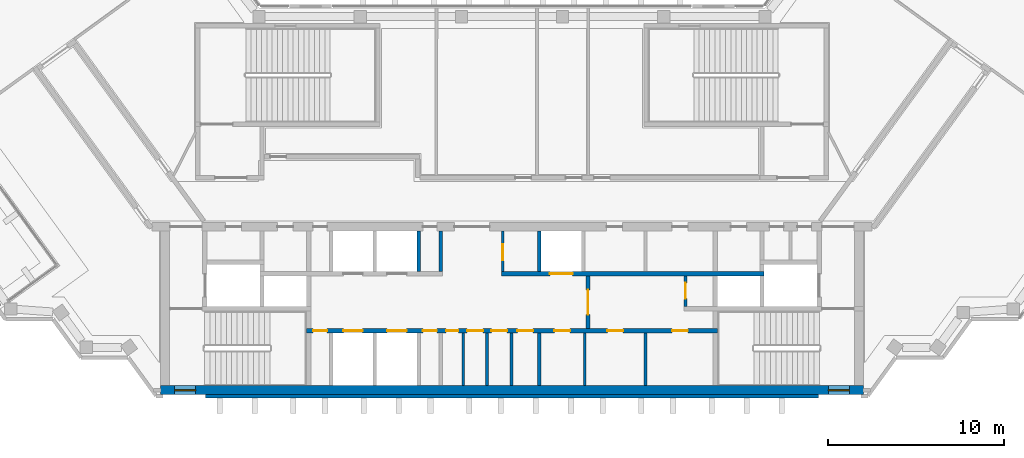
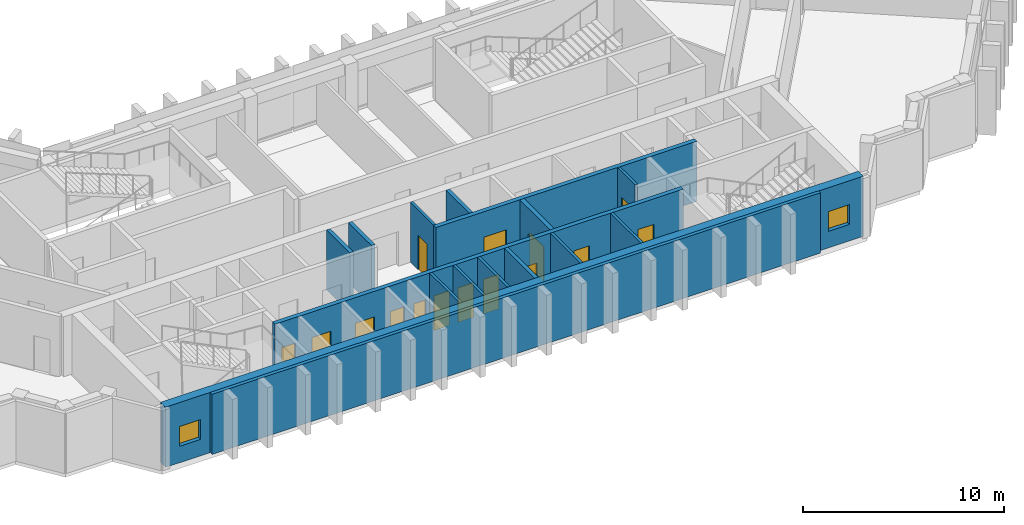
# One storey, part 6 of 10: 16 walls, 15 doors, 2 windows, 17 openings.
"""IFC4 building model written with IfcOpenShell, lengths in metres."""

from ifc_helpers import new_model, si_unit, direction, frame, frame_2d, origin, place, context, subcontext, project, spatial, rectangle, extrude, material, layer, layer_set, type_object, element, fill, save


model = new_model("IFC4")

# Units and contexts
model_context = context("Model", 3, precision=1e-05, world=origin(), true_north=direction((0.0, 1.0)))
body_context = subcontext(model_context, "Body", "Model", "MODEL_VIEW")
ifc_project = project(units=[si_unit("LENGTHUNIT", "METRE"), si_unit("AREAUNIT", "SQUARE_METRE"), si_unit("VOLUMEUNIT", "CUBIC_METRE"), si_unit("PLANEANGLEUNIT", "RADIAN"), si_unit("MASSUNIT", "GRAM", prefix="KILO")], contexts=[model_context])

# Site, building, storey
site_placement = place(None, origin())
site = spatial("IfcSite", under=ifc_project, at=site_placement, CompositionType="ELEMENT")
building_placement = place(site_placement, origin())
building = spatial("IfcBuilding", under=site, at=building_placement, Name="Quipu Civic Tower", CompositionType="ELEMENT")
storey_placement = place(building_placement, frame((0.0, 0.0, 261.0)))
storey = spatial("IfcBuildingStorey", under=building, at=storey_placement, Name="L61", CompositionType="ELEMENT", Elevation=261.0)

# Wall, openings, doors
ifc_material_1 = material(Name="Concrete C70/85", Category="concrete")
ifc_layer_1 = layer(ifc_material_1, 0.25)
ifc_layer_set_1 = layer_set([ifc_layer_1], Name="Concrete C70/85")
wall_type_1 = type_object("IfcWallType", Name="Core wall 250", PredefinedType="SHEAR", material=ifc_layer_set_1)
wall_1_placement = place(storey_placement, frame((11.699951171875, -7.375, 0.0), z_axis=(0.0, 0.0, 1.0), x_axis=(-1.0, 0.0, 0.0)))
wall_1 = element("IfcWall", 1, at=wall_1_placement, inside=storey, type_object=wall_type_1, Name="Core wall", PredefinedType="SHEAR", context=body_context, shape_type="SweptSolid", body=[
    extrude(rectangle(XDim=23.39990234375, YDim=0.25, at=frame_2d((11.699951171875, 0.0))), origin(), (0.0, 0.0, 1.0), 3.64990234375),
])
opening_1_placement = place(wall_1_placement, frame((22.22509765625, 0.0, 0.0)))
opening_1 = element("IfcOpeningElement", 2, at=opening_1_placement, cuts=wall_1, Name="Opening CD-01", PredefinedType="OPENING", context=body_context, shape_type="SweptSolid", body=[
    extrude(rectangle(XDim=0.800048828125, YDim=2.10009765625, at=frame_2d((0.39990234375, 1.050048828125))), frame((0.0, 0.135009765625, 0.0), z_axis=(0.0, -1.0, 0.0), x_axis=(1.0, 0.0, 0.0)), (0.0, 0.0, 1.0), 0.27001953125),
])
opening_2_placement = place(wall_1_placement, frame((20.199951171875, 0.0, 0.0)))
opening_2 = element("IfcOpeningElement", 3, at=opening_2_placement, cuts=wall_1, Name="Opening LD-HL1", PredefinedType="OPENING", context=body_context, shape_type="SweptSolid", body=[
    extrude(rectangle(XDim=1.10009765625, YDim=2.10009765625, at=frame_2d((0.550048828125, 1.050048828125))), frame((0.0, 0.135009765625, 0.0), z_axis=(0.0, -1.0, 0.0), x_axis=(1.0, 0.0, 0.0)), (0.0, 0.0, 1.0), 0.27001953125),
])
opening_3_placement = place(wall_1_placement, frame((17.699951171875, 0.0, 0.0)))
opening_3 = element("IfcOpeningElement", 4, at=opening_3_placement, cuts=wall_1, Name="Opening LD-HL2", PredefinedType="OPENING", context=body_context, shape_type="SweptSolid", body=[
    extrude(rectangle(XDim=1.10009765625, YDim=2.10009765625, at=frame_2d((0.550048828125, 1.050048828125))), frame((0.0, 0.135009765625, 0.0), z_axis=(0.0, -1.0, 0.0), x_axis=(1.0, 0.0, 0.0)), (0.0, 0.0, 1.0), 0.27001953125),
])
opening_4_placement = place(wall_1_placement, frame((15.97509765625, 0.0, 0.0)))
opening_4 = element("IfcOpeningElement", 5, at=opening_4_placement, cuts=wall_1, Name="Opening CD-02", PredefinedType="OPENING", context=body_context, shape_type="SweptSolid", body=[
    extrude(rectangle(XDim=0.800048828125, YDim=2.10009765625, at=frame_2d((0.39990234375, 1.050048828125))), frame((0.0, 0.135009765625, 0.0), z_axis=(0.0, -1.0, 0.0), x_axis=(1.0, 0.0, 0.0)), (0.0, 0.0, 1.0), 0.27001953125),
])
opening_5_placement = place(wall_1_placement, frame((14.75, 0.0, 0.0)))
opening_5 = element("IfcOpeningElement", 6, at=opening_5_placement, cuts=wall_1, Name="Opening CD-03", PredefinedType="OPENING", context=body_context, shape_type="SweptSolid", body=[
    extrude(rectangle(XDim=0.699951171875, YDim=2.10009765625, at=frame_2d((0.35009765625, 1.050048828125))), frame((0.0, 0.135009765625, 0.0), z_axis=(0.0, -1.0, 0.0), x_axis=(1.0, 0.0, 0.0)), (0.0, 0.0, 1.0), 0.27001953125),
])
opening_6_placement = place(wall_1_placement, frame((13.35009765625, 0.0, 0.0)))
opening_6 = element("IfcOpeningElement", 7, at=opening_6_placement, cuts=wall_1, Name="Opening CD-04", PredefinedType="OPENING", context=body_context, shape_type="SweptSolid", body=[
    extrude(rectangle(XDim=0.89990234375, YDim=2.10009765625, at=frame_2d((0.449951171875, 1.050048828125))), frame((0.0, 0.135009765625, 0.0), z_axis=(0.0, -1.0, 0.0), x_axis=(1.0, 0.0, 0.0)), (0.0, 0.0, 1.0), 0.27001953125),
])
opening_7_placement = place(wall_1_placement, frame((11.97509765625, 0.0, 0.0)))
opening_7 = element("IfcOpeningElement", 8, at=opening_7_placement, cuts=wall_1, Name="Opening CD-05", PredefinedType="OPENING", context=body_context, shape_type="SweptSolid", body=[
    extrude(rectangle(XDim=0.89990234375, YDim=2.10009765625, at=frame_2d((0.449951171875, 1.050048828125))), frame((0.0, 0.135009765625, 0.0), z_axis=(0.0, -1.0, 0.0), x_axis=(1.0, 0.0, 0.0)), (0.0, 0.0, 1.0), 0.27001953125),
])
opening_8_placement = place(wall_1_placement, frame((10.5, 0.0, 0.0)))
opening_8 = element("IfcOpeningElement", 9, at=opening_8_placement, cuts=wall_1, Name="Opening CD-06", PredefinedType="OPENING", context=body_context, shape_type="SweptSolid", body=[
    extrude(rectangle(XDim=0.89990234375, YDim=2.10009765625, at=frame_2d((0.449951171875, 1.050048828125))), frame((0.0, 0.135009765625, 0.0), z_axis=(0.0, -1.0, 0.0), x_axis=(1.0, 0.0, 0.0)), (0.0, 0.0, 1.0), 0.27001953125),
])
opening_9_placement = place(wall_1_placement, frame((8.387939453125, 0.0, 0.0)))
opening_9 = element("IfcOpeningElement", 10, at=opening_9_placement, cuts=wall_1, Name="Opening CD-07", PredefinedType="OPENING", context=body_context, shape_type="SweptSolid", body=[
    extrude(rectangle(XDim=0.89990234375, YDim=2.10009765625, at=frame_2d((0.449951171875, 1.050048828125))), frame((0.0, 0.135009765625, 0.0), z_axis=(0.0, -1.0, 0.0), x_axis=(1.0, 0.0, 0.0)), (0.0, 0.0, 1.0), 0.27001953125),
])
opening_10_placement = place(wall_1_placement, frame((5.375, 0.0, 0.0)))
opening_10 = element("IfcOpeningElement", 11, at=opening_10_placement, cuts=wall_1, Name="Opening CD-08", PredefinedType="OPENING", context=body_context, shape_type="SweptSolid", body=[
    extrude(rectangle(XDim=0.89990234375, YDim=2.10009765625, at=frame_2d((0.449951171875, 1.050048828125))), frame((0.0, 0.135009765625, 0.0), z_axis=(0.0, -1.0, 0.0), x_axis=(1.0, 0.0, 0.0)), (0.0, 0.0, 1.0), 0.27001953125),
])
opening_11_placement = place(wall_1_placement, frame((1.68798828125, 0.0, 0.0)))
opening_11 = element("IfcOpeningElement", 12, at=opening_11_placement, cuts=wall_1, Name="Opening CD-09", PredefinedType="OPENING", context=body_context, shape_type="SweptSolid", body=[
    extrude(rectangle(XDim=0.89990234375, YDim=2.10009765625, at=frame_2d((0.449951171875, 1.050048828125))), frame((0.0, 0.135009765625, 0.0), z_axis=(0.0, -1.0, 0.0), x_axis=(1.0, 0.0, 0.0)), (0.0, 0.0, 1.0), 0.27001953125),
])
ifc_material_2 = material(Name="Fire rated steel door", Category="steel")
door_type_1 = type_object("IfcDoorType", Name="Fire door FD60 700 x 2100", OperationType="NOTDEFINED", PredefinedType="DOOR", material=ifc_material_2)
door_1_placement = place(opening_5_placement, origin())
door_1 = element("IfcDoor", 13, at=door_1_placement, inside=storey, type_object=door_type_1, Name="Door", OperationType="SINGLE_SWING_RIGHT", OverallHeight=2.10009765625, OverallWidth=0.699951171875, PredefinedType="DOOR", context=body_context, shape_type="SweptSolid", body=[
    extrude(rectangle(XDim=0.699951171875, YDim=2.10009765625, at=frame_2d((0.35009765625, 1.050048828125))), frame((0.0, 0.02490234375, 0.0), z_axis=(0.0, -1.0, 0.0), x_axis=(1.0, 0.0, 0.0)), (0.0, 0.0, 1.0), 0.050048828125),
])
fill(opening_5, door_1)
ifc_material_3 = material(Name="Fire rated steel door", Category="steel")
door_type_2 = type_object("IfcDoorType", Name="Fire door FD60 800 x 2100", OperationType="NOTDEFINED", PredefinedType="DOOR", material=ifc_material_3)
door_2_placement = place(opening_1_placement, origin())
door_2 = element("IfcDoor", 14, at=door_2_placement, inside=storey, type_object=door_type_2, Name="Door", OperationType="SINGLE_SWING_RIGHT", OverallHeight=2.10009765625, OverallWidth=0.800048828125, PredefinedType="DOOR", context=body_context, shape_type="SweptSolid", body=[
    extrude(rectangle(XDim=0.800048828125, YDim=2.10009765625, at=frame_2d((0.39990234375, 1.050048828125))), frame((0.0, 0.02490234375, 0.0), z_axis=(0.0, -1.0, 0.0), x_axis=(1.0, 0.0, 0.0)), (0.0, 0.0, 1.0), 0.050048828125),
])
fill(opening_1, door_2)
door_3_placement = place(opening_4_placement, origin())
door_3 = element("IfcDoor", 15, at=door_3_placement, inside=storey, type_object=door_type_2, Name="Door", OperationType="SINGLE_SWING_RIGHT", OverallHeight=2.10009765625, OverallWidth=0.800048828125, PredefinedType="DOOR", context=body_context, shape_type="SweptSolid", body=[
    extrude(rectangle(XDim=0.800048828125, YDim=2.10009765625, at=frame_2d((0.39990234375, 1.050048828125))), frame((0.0, 0.02490234375, 0.0), z_axis=(0.0, -1.0, 0.0), x_axis=(1.0, 0.0, 0.0)), (0.0, 0.0, 1.0), 0.050048828125),
])
fill(opening_4, door_3)
ifc_material_4 = material(Name="Fire rated steel door", Category="steel")
door_type_3 = type_object("IfcDoorType", Name="Fire door FD60 900 x 2100", OperationType="NOTDEFINED", PredefinedType="DOOR", material=ifc_material_4)
door_4_placement = place(opening_6_placement, origin())
door_4 = element("IfcDoor", 16, at=door_4_placement, inside=storey, type_object=door_type_3, Name="WC door", OperationType="SINGLE_SWING_RIGHT", OverallHeight=2.10009765625, OverallWidth=0.89990234375, PredefinedType="DOOR", context=body_context, shape_type="SweptSolid", body=[
    extrude(rectangle(XDim=0.89990234375, YDim=2.10009765625, at=frame_2d((0.449951171875, 1.050048828125))), frame((0.0, 0.02490234375, 0.0), z_axis=(0.0, -1.0, 0.0), x_axis=(1.0, 0.0, 0.0)), (0.0, 0.0, 1.0), 0.050048828125),
])
fill(opening_6, door_4)
door_5_placement = place(opening_7_placement, origin())
door_5 = element("IfcDoor", 17, at=door_5_placement, inside=storey, type_object=door_type_3, Name="WC door", OperationType="SINGLE_SWING_RIGHT", OverallHeight=2.10009765625, OverallWidth=0.89990234375, PredefinedType="DOOR", context=body_context, shape_type="SweptSolid", body=[
    extrude(rectangle(XDim=0.89990234375, YDim=2.10009765625, at=frame_2d((0.449951171875, 1.050048828125))), frame((0.0, 0.02490234375, 0.0), z_axis=(0.0, -1.0, 0.0), x_axis=(1.0, 0.0, 0.0)), (0.0, 0.0, 1.0), 0.050048828125),
])
fill(opening_7, door_5)
door_6_placement = place(opening_8_placement, origin())
door_6 = element("IfcDoor", 18, at=door_6_placement, inside=storey, type_object=door_type_3, Name="WC door", OperationType="SINGLE_SWING_LEFT", OverallHeight=2.10009765625, OverallWidth=0.89990234375, PredefinedType="DOOR", context=body_context, shape_type="SweptSolid", body=[
    extrude(rectangle(XDim=0.89990234375, YDim=2.10009765625, at=frame_2d((0.449951171875, 1.050048828125))), frame((0.0, 0.02490234375, 0.0), z_axis=(0.0, -1.0, 0.0), x_axis=(1.0, 0.0, 0.0)), (0.0, 0.0, 1.0), 0.050048828125),
])
fill(opening_8, door_6)
door_7_placement = place(opening_9_placement, origin())
door_7 = element("IfcDoor", 19, at=door_7_placement, inside=storey, type_object=door_type_3, Name="Door", OperationType="SINGLE_SWING_LEFT", OverallHeight=2.10009765625, OverallWidth=0.89990234375, PredefinedType="DOOR", context=body_context, shape_type="SweptSolid", body=[
    extrude(rectangle(XDim=0.89990234375, YDim=2.10009765625, at=frame_2d((0.449951171875, 1.050048828125))), frame((0.0, 0.02490234375, 0.0), z_axis=(0.0, -1.0, 0.0), x_axis=(1.0, 0.0, 0.0)), (0.0, 0.0, 1.0), 0.050048828125),
])
fill(opening_9, door_7)
door_8_placement = place(opening_10_placement, origin())
door_8 = element("IfcDoor", 20, at=door_8_placement, inside=storey, type_object=door_type_3, Name="Door", OperationType="SINGLE_SWING_LEFT", OverallHeight=2.10009765625, OverallWidth=0.89990234375, PredefinedType="DOOR", context=body_context, shape_type="SweptSolid", body=[
    extrude(rectangle(XDim=0.89990234375, YDim=2.10009765625, at=frame_2d((0.449951171875, 1.050048828125))), frame((0.0, 0.02490234375, 0.0), z_axis=(0.0, -1.0, 0.0), x_axis=(1.0, 0.0, 0.0)), (0.0, 0.0, 1.0), 0.050048828125),
])
fill(opening_10, door_8)
door_9_placement = place(opening_11_placement, origin())
door_9 = element("IfcDoor", 21, at=door_9_placement, inside=storey, type_object=door_type_3, Name="Door", OperationType="SINGLE_SWING_LEFT", OverallHeight=2.10009765625, OverallWidth=0.89990234375, PredefinedType="DOOR", context=body_context, shape_type="SweptSolid", body=[
    extrude(rectangle(XDim=0.89990234375, YDim=2.10009765625, at=frame_2d((0.449951171875, 1.050048828125))), frame((0.0, 0.02490234375, 0.0), z_axis=(0.0, -1.0, 0.0), x_axis=(1.0, 0.0, 0.0)), (0.0, 0.0, 1.0), 0.050048828125),
])
fill(opening_11, door_9)
ifc_material_5 = material(Name="Stainless steel", Category="steel")
door_type_4 = type_object("IfcDoorType", Name="Lift landing door 1100 x 2100", OperationType="DOUBLE_DOOR_SLIDING", PredefinedType="DOOR", material=ifc_material_5)
door_10_placement = place(opening_2_placement, origin())
door_10 = element("IfcDoor", 22, at=door_10_placement, inside=storey, type_object=door_type_4, Name="Landing door HL1", OperationType="DOUBLE_DOOR_SLIDING", OverallHeight=2.10009765625, OverallWidth=1.10009765625, PredefinedType="DOOR", context=body_context, shape_type="SweptSolid", body=[
    extrude(rectangle(XDim=1.10009765625, YDim=2.10009765625, at=frame_2d((0.550048828125, 1.050048828125))), frame((0.0, 0.02490234375, 0.0), z_axis=(0.0, -1.0, 0.0), x_axis=(1.0, 0.0, 0.0)), (0.0, 0.0, 1.0), 0.050048828125),
])
fill(opening_2, door_10)
door_11_placement = place(opening_3_placement, origin())
door_11 = element("IfcDoor", 23, at=door_11_placement, inside=storey, type_object=door_type_4, Name="Landing door HL2", OperationType="DOUBLE_DOOR_SLIDING", OverallHeight=2.10009765625, OverallWidth=1.10009765625, PredefinedType="DOOR", context=body_context, shape_type="SweptSolid", body=[
    extrude(rectangle(XDim=1.10009765625, YDim=2.10009765625, at=frame_2d((0.550048828125, 1.050048828125))), frame((0.0, 0.02490234375, 0.0), z_axis=(0.0, -1.0, 0.0), x_axis=(1.0, 0.0, 0.0)), (0.0, 0.0, 1.0), 0.050048828125),
])
fill(opening_3, door_11)

# Wall, opening, door
wall_2_placement = place(storey_placement, frame((4.324951171875, -7.25, 0.0), z_axis=(0.0, 0.0, 1.0), x_axis=(0.0, 1.0, 0.0)))
wall_2 = element("IfcWall", 24, at=wall_2_placement, inside=storey, type_object=wall_type_1, Name="Core wall", PredefinedType="SHEAR", context=body_context, shape_type="SweptSolid", body=[
    extrude(rectangle(XDim=3.0, YDim=0.25, at=frame_2d((1.5, 0.0))), origin(), (0.0, 0.0, 1.0), 3.64990234375),
])
opening_12_placement = place(wall_2_placement, frame((0.800048828125, 0.0, 0.0)))
opening_12 = element("IfcOpeningElement", 25, at=opening_12_placement, cuts=wall_2, Name="Opening CD-12", PredefinedType="OPENING", context=body_context, shape_type="SweptSolid", body=[
    extrude(rectangle(XDim=1.39990234375, YDim=2.10009765625, at=frame_2d((0.699951171875, 1.050048828125))), frame((0.0, 0.135009765625, 0.0), z_axis=(0.0, -1.0, 0.0), x_axis=(1.0, 0.0, 0.0)), (0.0, 0.0, 1.0), 0.27001953125),
])
ifc_material_6 = material(Name="Fire rated steel door", Category="steel")
door_type_5 = type_object("IfcDoorType", Name="Fire door FD60 double 1400 x 2100", OperationType="NOTDEFINED", PredefinedType="DOOR", material=ifc_material_6)
door_12_placement = place(opening_12_placement, origin())
door_12 = element("IfcDoor", 26, at=door_12_placement, inside=storey, type_object=door_type_5, Name="Hall door", OperationType="DOUBLE_DOOR_SINGLE_SWING", OverallHeight=2.10009765625, OverallWidth=1.39990234375, PredefinedType="DOOR", context=body_context, shape_type="SweptSolid", body=[
    extrude(rectangle(XDim=1.39990234375, YDim=2.10009765625, at=frame_2d((0.699951171875, 1.050048828125))), frame((0.0, 0.02490234375, 0.0), z_axis=(0.0, -1.0, 0.0), x_axis=(1.0, 0.0, 0.0)), (0.0, 0.0, 1.0), 0.050048828125),
])
fill(opening_12, door_12)

wall_3_placement = place(storey_placement, frame((-0.60009765625, -4.125, 0.0), z_axis=(0.0, 0.0, 1.0), x_axis=(1.0, 0.0, 0.0)))
wall_3 = element("IfcWall", 27, at=wall_3_placement, inside=storey, type_object=wall_type_1, Name="Core wall", PredefinedType="SHEAR", context=body_context, shape_type="SweptSolid", body=[
    extrude(rectangle(XDim=14.9501953125, YDim=0.25, at=frame_2d((7.47509765625, 0.0))), origin(), (0.0, 0.0, 1.0), 3.64990234375),
])
opening_13_placement = place(wall_3_placement, frame((2.75, 0.0, 0.0)))
opening_13 = element("IfcOpeningElement", 28, at=opening_13_placement, cuts=wall_3, Name="Opening LD-FF3", PredefinedType="OPENING", context=body_context, shape_type="SweptSolid", body=[
    extrude(rectangle(XDim=1.300048828125, YDim=2.10009765625, at=frame_2d((0.64990234375, 1.050048828125))), frame((0.0, 0.135009765625, 0.0), z_axis=(0.0, -1.0, 0.0), x_axis=(1.0, 0.0, 0.0)), (0.0, 0.0, 1.0), 0.27001953125),
])
ifc_material_7 = material(Name="Stainless steel", Category="steel")
door_type_6 = type_object("IfcDoorType", Name="Lift landing door 1300 x 2100", OperationType="DOUBLE_DOOR_SLIDING", PredefinedType="DOOR", material=ifc_material_7)
door_13_placement = place(opening_13_placement, origin())
door_13 = element("IfcDoor", 29, at=door_13_placement, inside=storey, type_object=door_type_6, Name="Landing door FF3", OperationType="DOUBLE_DOOR_SLIDING", OverallHeight=2.10009765625, OverallWidth=1.300048828125, PredefinedType="DOOR", context=body_context, shape_type="SweptSolid", body=[
    extrude(rectangle(XDim=1.300048828125, YDim=2.10009765625, at=frame_2d((0.64990234375, 1.050048828125))), frame((0.0, 0.02490234375, 0.0), z_axis=(0.0, -1.0, 0.0), x_axis=(1.0, 0.0, 0.0)), (0.0, 0.0, 1.0), 0.050048828125),
])
fill(opening_13, door_13)

# Wall, openings, windows
ifc_material_8 = material(Name="Concrete C70/85", Category="concrete")
ifc_layer_2 = layer(ifc_material_8, 0.5)
ifc_layer_set_2 = layer_set([ifc_layer_2], Name="Concrete C70/85")
wall_type_2 = type_object("IfcWallType", Name="Core wall 500", PredefinedType="SHEAR", material=ifc_layer_set_2)
wall_4_placement = place(storey_placement, frame((-20.0, -10.75, 0.0), z_axis=(0.0, 0.0, 1.0), x_axis=(1.0, 0.0, 0.0)))
wall_4 = element("IfcWall", 30, at=wall_4_placement, inside=storey, type_object=wall_type_2, Name="Core wall", PredefinedType="SHEAR", context=body_context, shape_type="SweptSolid", body=[
    extrude(rectangle(XDim=40.0, YDim=0.5, at=frame_2d((20.0, 0.0))), origin(), (0.0, 0.0, 1.0), 3.64990234375),
])
opening_14_placement = place(wall_4_placement, frame((0.800048828125, 0.0, 1.0)))
opening_14 = element("IfcOpeningElement", 31, at=opening_14_placement, cuts=wall_4, Name="Opening SV-1", PredefinedType="OPENING", context=body_context, shape_type="SweptSolid", body=[
    extrude(rectangle(XDim=1.199951171875, YDim=1.199951171875, at=frame_2d((0.60009765625, 0.60009765625))), frame((0.0, 0.260009765625, 0.0), z_axis=(0.0, -1.0, 0.0), x_axis=(1.0, 0.0, 0.0)), (0.0, 0.0, 1.0), 0.52001953125),
])
opening_15_placement = place(wall_4_placement, frame((38.0, 0.0, 1.0)))
opening_15 = element("IfcOpeningElement", 32, at=opening_15_placement, cuts=wall_4, Name="Opening SV-2", PredefinedType="OPENING", context=body_context, shape_type="SweptSolid", body=[
    extrude(rectangle(XDim=1.199951171875, YDim=1.199951171875, at=frame_2d((0.60009765625, 0.60009765625))), frame((0.0, 0.260009765625, 0.0), z_axis=(0.0, -1.0, 0.0), x_axis=(1.0, 0.0, 0.0)), (0.0, 0.0, 1.0), 0.52001953125),
])
ifc_material_9 = material(Name="Aluminium louvre", Category="aluminium")
window_type = type_object("IfcWindowType", Name="Stair ventilation louvre 1200 x 1200", PartitioningType="SINGLE_PANEL", PredefinedType="WINDOW", material=ifc_material_9)
window_1_placement = place(opening_14_placement, origin())
window_1 = element("IfcWindow", 33, at=window_1_placement, inside=storey, type_object=window_type, Name="Stair ventilation opening", OverallHeight=1.199951171875, OverallWidth=1.199951171875, PartitioningType="SINGLE_PANEL", PredefinedType="WINDOW", context=body_context, shape_type="SweptSolid", body=[
    extrude(rectangle(XDim=1.199951171875, YDim=1.199951171875, at=frame_2d((0.60009765625, 0.60009765625))), frame((0.0, 0.030029296875, 0.0), z_axis=(0.0, -1.0, 0.0), x_axis=(1.0, 0.0, 0.0)), (0.0, 0.0, 1.0), 0.06005859375),
])
fill(opening_14, window_1)
window_2_placement = place(opening_15_placement, origin())
window_2 = element("IfcWindow", 34, at=window_2_placement, inside=storey, type_object=window_type, Name="Stair ventilation opening", OverallHeight=1.199951171875, OverallWidth=1.199951171875, PartitioningType="SINGLE_PANEL", PredefinedType="WINDOW", context=body_context, shape_type="SweptSolid", body=[
    extrude(rectangle(XDim=1.199951171875, YDim=1.199951171875, at=frame_2d((0.60009765625, 0.60009765625))), frame((0.0, 0.030029296875, 0.0), z_axis=(0.0, -1.0, 0.0), x_axis=(1.0, 0.0, 0.0)), (0.0, 0.0, 1.0), 0.06005859375),
])
fill(opening_15, window_2)

# Walls
ifc_material_10 = material(Name="Gypsum board partition")
ifc_layer_3 = layer(ifc_material_10, 0.14990234375)
ifc_layer_set_3 = layer_set([ifc_layer_3], Name="Gypsum board partition")
wall_type_3 = type_object("IfcWallType", Name="Partition 150", PredefinedType="PARTITIONING", material=ifc_layer_set_3)
for number, where, z_axis, x_axis, name in (
    (35, (-2.77490234375, -10.5, 0.0), (0.0, 0.0, 1.0), (0.0, 1.0, 0.0), "Partition"),
    (36, (-1.425048828125, -10.5, 0.0), (0.0, 0.0, 1.0), (0.0, 1.0, 0.0), "Partition"),
    (37, (-0.02490234375, -10.5, 0.0), (0.0, 0.0, 1.0), (0.0, 1.0, 0.0), "Partition"),
    (38, (4.14990234375, -10.5, 0.0), (0.0, 0.0, 1.0), (0.0, 1.0, 0.0), "Partition"),
    (39, (7.60009765625, -10.5, 0.0), (0.0, 0.0, 1.0), (0.0, 1.0, 0.0), "Partition"),
):
    element("IfcWall", number, at=place(storey_placement, frame(where, z_axis=z_axis, x_axis=x_axis)), inside=storey, type_object=wall_type_3, Name=name, PredefinedType="PARTITIONING", context=body_context, shape_type="SweptSolid", body=[
        extrude(rectangle(XDim=3.0, YDim=0.14990234375, at=frame_2d((1.5, 0.0))), origin(), (0.0, 0.0, 1.0), 3.64990234375),
    ])

# Wall, opening, door
wall_5_placement = place(storey_placement, frame((9.875, -6.0, 0.0), z_axis=(0.0, 0.0, 1.0), x_axis=(0.0, 1.0, 0.0)))
wall_5 = element("IfcWall", 40, at=wall_5_placement, inside=storey, type_object=wall_type_3, Name="Partition", PredefinedType="PARTITIONING", context=body_context, shape_type="SweptSolid", body=[
    extrude(rectangle(XDim=1.75, YDim=0.14990234375, at=frame_2d((0.875, 0.0))), origin(), (0.0, 0.0, 1.0), 3.64990234375),
])
opening_16_placement = place(wall_5_placement, frame((0.449951171875, 0.0, 0.0)))
opening_16 = element("IfcOpeningElement", 41, at=opening_16_placement, cuts=wall_5, Name="Opening CD-13", PredefinedType="OPENING", context=body_context, shape_type="SweptSolid", body=[
    extrude(rectangle(XDim=0.89990234375, YDim=2.10009765625, at=frame_2d((0.449951171875, 1.050048828125))), frame((0.0, 0.0849609375, 0.0), z_axis=(0.0, -1.0, 0.0), x_axis=(1.0, 0.0, 0.0)), (0.0, 0.0, 1.0), 0.169921875),
])
door_14_placement = place(opening_16_placement, origin())
door_14 = element("IfcDoor", 42, at=door_14_placement, inside=storey, type_object=door_type_3, Name="Door", OperationType="SINGLE_SWING_RIGHT", OverallHeight=2.10009765625, OverallWidth=0.89990234375, PredefinedType="DOOR", context=body_context, shape_type="SweptSolid", body=[
    extrude(rectangle(XDim=0.89990234375, YDim=2.10009765625, at=frame_2d((0.449951171875, 1.050048828125))), frame((0.0, 0.02490234375, 0.0), z_axis=(0.0, -1.0, 0.0), x_axis=(1.0, 0.0, 0.0)), (0.0, 0.0, 1.0), 0.050048828125),
])
fill(opening_16, door_14)

wall_6_placement = place(storey_placement, frame((-0.52490234375, -4.0, 0.0), z_axis=(0.0, 0.0, 1.0), x_axis=(0.0, 1.0, 0.0)))
wall_6 = element("IfcWall", 43, at=wall_6_placement, inside=storey, type_object=wall_type_3, Name="Partition", PredefinedType="PARTITIONING", context=body_context, shape_type="SweptSolid", body=[
    extrude(rectangle(XDim=2.300048828125, YDim=0.14990234375, at=frame_2d((1.14990234375, 0.0))), origin(), (0.0, 0.0, 1.0), 3.64990234375),
])
opening_17_placement = place(wall_6_placement, frame((0.64990234375, 0.0, 0.0)))
opening_17 = element("IfcOpeningElement", 44, at=opening_17_placement, cuts=wall_6, Name="Opening CD-14", PredefinedType="OPENING", context=body_context, shape_type="SweptSolid", body=[
    extrude(rectangle(XDim=0.89990234375, YDim=2.10009765625, at=frame_2d((0.449951171875, 1.050048828125))), frame((0.0, 0.0849609375, 0.0), z_axis=(0.0, -1.0, 0.0), x_axis=(1.0, 0.0, 0.0)), (0.0, 0.0, 1.0), 0.169921875),
])
door_15_placement = place(opening_17_placement, origin())
door_15 = element("IfcDoor", 45, at=door_15_placement, inside=storey, type_object=door_type_3, Name="WC door", OperationType="SINGLE_SWING_LEFT", OverallHeight=2.10009765625, OverallWidth=0.89990234375, PredefinedType="DOOR", context=body_context, shape_type="SweptSolid", body=[
    extrude(rectangle(XDim=0.89990234375, YDim=2.10009765625, at=frame_2d((0.449951171875, 1.050048828125))), frame((0.0, 0.02490234375, 0.0), z_axis=(0.0, -1.0, 0.0), x_axis=(1.0, 0.0, 0.0)), (0.0, 0.0, 1.0), 0.050048828125),
])
fill(opening_17, door_15)

# Walls
ifc_material_11 = material(Name="Precast concrete C40/50", Category="concrete")
wall_type_4 = type_object("IfcWallType", Name="Precast cladding wall", PredefinedType="SOLIDWALL", material=ifc_material_11)
wall_7_placement = place(storey_placement, frame((-17.44384765625, -11.087890625, 0.0), z_axis=(0.0, 0.0, 1.0), x_axis=(1.0, 0.0, 0.0)))
element("IfcWall", 46, at=wall_7_placement, inside=storey, type_object=wall_type_4, Name="Precast cladding wall L61 P03", PredefinedType="SOLIDWALL", context=body_context, shape_type="SweptSolid", body=[
    extrude(rectangle(XDim=34.8876953125, YDim=0.199951171875, at=frame_2d((17.44384765625, 0.0))), origin(), (0.0, 0.0, 1.0), 3.64990234375),
])
ifc_material_12 = material(Name="Concrete C40/50", Category="concrete")
ifc_layer_4 = layer(ifc_material_12, 0.199951171875)
ifc_layer_set_4 = layer_set([ifc_layer_4], Name="Concrete C40/50")
wall_type_5 = type_object("IfcWallType", Name="Shaft wall 200", PredefinedType="SOLIDWALL", material=ifc_layer_set_4)
wall_8_placement = place(storey_placement, frame((1.550048828125, -10.5, 0.0), z_axis=(0.0, 0.0, 1.0), x_axis=(0.0, 1.0, 0.0)))
element("IfcWall", 47, at=wall_8_placement, inside=storey, type_object=wall_type_5, Name="Shaft wall", PredefinedType="SOLIDWALL", context=body_context, shape_type="SweptSolid", body=[
    extrude(rectangle(XDim=3.0, YDim=0.199951171875, at=frame_2d((1.5, 0.0))), origin(), (0.0, 0.0, 1.0), 3.64990234375),
])
for number, where, z_axis, x_axis, name in (
    (48, (-5.300048828125, -4.0, 0.0), (0.0, 0.0, 1.0), (0.0, 1.0, 0.0), "Shaft wall"),
    (49, (-4.050048828125, -4.0, 0.0), (0.0, 0.0, 1.0), (0.0, 1.0, 0.0), "Shaft wall"),
    (50, (1.550048828125, -4.0, 0.0), (0.0, 0.0, 1.0), (0.0, 1.0, 0.0), "Shaft wall"),
):
    element("IfcWall", number, at=place(storey_placement, frame(where, z_axis=z_axis, x_axis=x_axis)), inside=storey, type_object=wall_type_5, Name=name, PredefinedType="SOLIDWALL", context=body_context, shape_type="SweptSolid", body=[
        extrude(rectangle(XDim=2.300048828125, YDim=0.199951171875, at=frame_2d((1.14990234375, 0.0))), origin(), (0.0, 0.0, 1.0), 3.64990234375),
    ])

save(model, "model.ifc")
